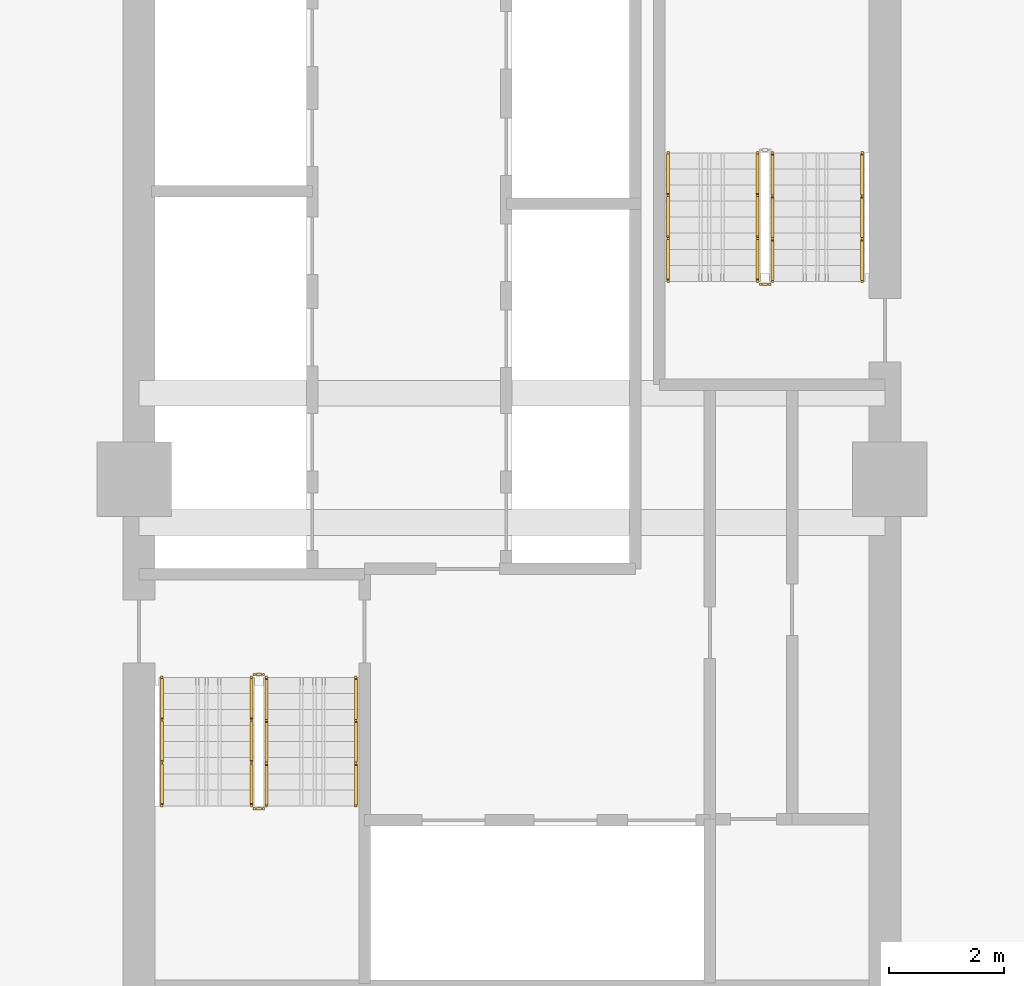
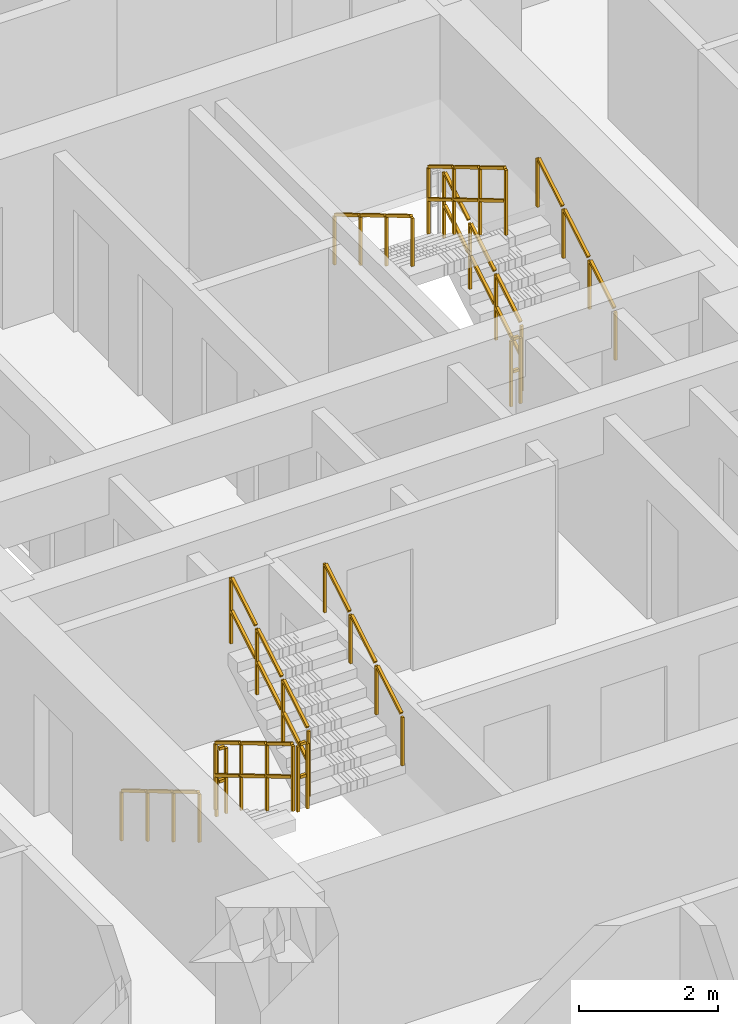
# One storey, part 24 of 26: 11 railings.
"""IFC4 building model written with IfcOpenShell, lengths in metres."""

from ifc_helpers import new_model, si_unit, direction, frame, origin, origin_2d, place, context, subcontext, project, spatial, rectangle, extrude, material, type_object, element, save


model = new_model("IFC4")

# Units and contexts
model_context = context("Model", 3, precision=1e-05, world=origin(), true_north=direction((0.0, 1.0)))
body_context = subcontext(model_context, "Body", "Model", "MODEL_VIEW")
ifc_project = project(units=[si_unit("LENGTHUNIT", "METRE"), si_unit("AREAUNIT", "SQUARE_METRE"), si_unit("VOLUMEUNIT", "CUBIC_METRE"), si_unit("PLANEANGLEUNIT", "RADIAN"), si_unit("MASSUNIT", "GRAM", prefix="KILO")], contexts=[model_context])

# Site, building, storey
site_placement = place(None, origin())
site = spatial("IfcSite", under=ifc_project, at=site_placement, CompositionType="ELEMENT")
building_placement = place(site_placement, origin())
building = spatial("IfcBuilding", under=site, at=building_placement, Name="Saelheon Loggia Tower", CompositionType="ELEMENT")
storey_placement = place(building_placement, frame((0.0, 0.0, 89.85009765625)))
storey = spatial("IfcBuildingStorey", under=building, at=storey_placement, Name="L28", CompositionType="ELEMENT", Elevation=89.85009765625)

# Railings
ifc_material_1 = material(Name="Galvanised Steel S275 Stairwell Guardrail", Category="steel")
railing_type_1 = type_object("IfcRailingType", Name="Guard_StairWell_RL_STG", PredefinedType="GUARDRAIL", material=ifc_material_1)
railing_1_placement = place(storey_placement, frame((33.4599609375, 23.550048828125, 0.16650390625)))
element("IfcRailing", 1, at=railing_1_placement, inside=storey, type_object=railing_type_1, Name="L28 ST1 stair guard 1", PredefinedType="GUARDRAIL", context=body_context, shape_type="SweptSolid", body=[
    extrude(rectangle(XDim=0.048095703125, YDim=0.048095703125, at=origin_2d()), frame((0.0, -0.028564453125, 1.19287109375), z_axis=(0.0, -0.859264461869, 0.511531606619), x_axis=(1.0, 0.0, 0.0)), (0.0, 0.0, 1.0), 0.802490234375),
    extrude(rectangle(XDim=0.048095703125, YDim=0.048095703125, at=origin_2d()), frame((0.0, -0.028564453125, 0.616943359375), z_axis=(0.0, -0.859264461869, 0.511531606619), x_axis=(1.0, 0.0, 0.0)), (0.0, 0.0, 1.0), 0.802490234375),
    extrude(rectangle(XDim=0.048095703125, YDim=0.048095703125, at=origin_2d()), frame((0.0, -0.775146484375, 1.637451171875), z_axis=(0.0, -0.859264461869, 0.511531606619), x_axis=(1.0, 0.0, 0.0)), (0.0, 0.0, 1.0), 0.802490234375),
    extrude(rectangle(XDim=0.048095703125, YDim=0.048095703125, at=origin_2d()), frame((0.0, -0.775146484375, 1.0615234375), z_axis=(0.0, -0.859264461869, 0.511531606619), x_axis=(1.0, 0.0, 0.0)), (0.0, 0.0, 1.0), 0.802490234375),
    extrude(rectangle(XDim=0.048095703125, YDim=0.048095703125, at=origin_2d()), frame((0.0, -1.52197265625, 2.081787109375), z_axis=(0.0, -0.859264461869, 0.511531606619), x_axis=(1.0, 0.0, 0.0)), (0.0, 0.0, 1.0), 0.802490234375),
    extrude(rectangle(XDim=0.048095703125, YDim=0.048095703125, at=origin_2d()), frame((0.0, -1.52197265625, 1.505859375), z_axis=(0.0, -0.859264461869, 0.511531606619), x_axis=(1.0, 0.0, 0.0)), (0.0, 0.0, 1.0), 0.802490234375),
    extrude(rectangle(XDim=0.0419921875, YDim=0.0419921875, at=origin_2d()), origin(), (0.0, 0.0, 1.0), 1.14794921875),
    extrude(rectangle(XDim=0.0419921875, YDim=0.0419921875, at=origin_2d()), frame((0.0, -0.74658203125, 0.444580078125)), (0.0, 0.0, 1.0), 1.14794921875),
    extrude(rectangle(XDim=0.0419921875, YDim=0.0419921875, at=origin_2d()), frame((0.0, -1.493408203125, 0.888916015625)), (0.0, 0.0, 1.0), 1.14794921875),
    extrude(rectangle(XDim=0.0419921875, YDim=0.0419921875, at=origin_2d()), frame((0.0, -2.239990234375, 1.33349609375)), (0.0, 0.0, 1.0), 1.14794921875),
])
railing_2_placement = place(storey_placement, frame((33.510009765625, 21.260009765625, 1.5)))
element("IfcRailing", 2, at=railing_2_placement, inside=storey, type_object=railing_type_1, Name="L28 ST1 stair guard 2", PredefinedType="GUARDRAIL", context=body_context, shape_type="SweptSolid", body=[
    extrude(rectangle(XDim=0.048095703125, YDim=0.048095703125, at=origin_2d()), frame((0.033203125, 0.0, 1.17578125), z_axis=(1.0, 0.0, 0.0), x_axis=(0.0, 1.0, 0.0)), (0.0, 0.0, 1.0), 0.093505859375),
    extrude(rectangle(XDim=0.048095703125, YDim=0.048095703125, at=origin_2d()), frame((0.033203125, 0.0, 0.60009765625), z_axis=(1.0, 0.0, 0.0), x_axis=(0.0, 1.0, 0.0)), (0.0, 0.0, 1.0), 0.093505859375),
    extrude(rectangle(XDim=0.0419921875, YDim=0.0419921875, at=origin_2d()), origin(), (0.0, 0.0, 1.0), 1.14794921875),
    extrude(rectangle(XDim=0.0419921875, YDim=0.0419921875, at=origin_2d()), frame((0.159912109375, 0.0, 0.0)), (0.0, 0.0, 1.0), 1.14794921875),
])
railing_3_placement = place(storey_placement, frame((33.719970703125, 21.31005859375, 1.66650390625)))
element("IfcRailing", 3, at=railing_3_placement, inside=storey, type_object=railing_type_1, Name="L28 ST1 stair guard 3", PredefinedType="GUARDRAIL", context=body_context, shape_type="SweptSolid", body=[
    extrude(rectangle(XDim=0.048095703125, YDim=0.048095703125, at=origin_2d()), frame((0.0, 0.028564453125, 1.19287109375), z_axis=(0.0, 0.859264461869, 0.511531606619), x_axis=(-1.0, 0.0, 0.0)), (0.0, 0.0, 1.0), 0.802490234375),
    extrude(rectangle(XDim=0.048095703125, YDim=0.048095703125, at=origin_2d()), frame((0.0, 0.028564453125, 0.616943359375), z_axis=(0.0, 0.859264461869, 0.511531606619), x_axis=(-1.0, 0.0, 0.0)), (0.0, 0.0, 1.0), 0.802490234375),
    extrude(rectangle(XDim=0.048095703125, YDim=0.048095703125, at=origin_2d()), frame((0.0, 0.775146484375, 1.637451171875), z_axis=(0.0, 0.859264461869, 0.511531606619), x_axis=(-1.0, 0.0, 0.0)), (0.0, 0.0, 1.0), 0.802490234375),
    extrude(rectangle(XDim=0.048095703125, YDim=0.048095703125, at=origin_2d()), frame((0.0, 0.775146484375, 1.0615234375), z_axis=(0.0, 0.859264461869, 0.511531606619), x_axis=(-1.0, 0.0, 0.0)), (0.0, 0.0, 1.0), 0.802490234375),
    extrude(rectangle(XDim=0.048095703125, YDim=0.048095703125, at=origin_2d()), frame((0.0, 1.52197265625, 2.081787109375), z_axis=(0.0, 0.859264461869, 0.511531606619), x_axis=(-1.0, 0.0, 0.0)), (0.0, 0.0, 1.0), 0.802490234375),
    extrude(rectangle(XDim=0.048095703125, YDim=0.048095703125, at=origin_2d()), frame((0.0, 1.52197265625, 1.505859375), z_axis=(0.0, 0.859264461869, 0.511531606619), x_axis=(-1.0, 0.0, 0.0)), (0.0, 0.0, 1.0), 0.802490234375),
    extrude(rectangle(XDim=0.0419921875, YDim=0.0419921875, at=origin_2d()), origin(), (0.0, 0.0, 1.0), 1.14794921875),
    extrude(rectangle(XDim=0.0419921875, YDim=0.0419921875, at=origin_2d()), frame((0.0, 0.74658203125, 0.444580078125)), (0.0, 0.0, 1.0), 1.14794921875),
    extrude(rectangle(XDim=0.0419921875, YDim=0.0419921875, at=origin_2d()), frame((0.0, 1.493408203125, 0.888916015625)), (0.0, 0.0, 1.0), 1.14794921875),
    extrude(rectangle(XDim=0.0419921875, YDim=0.0419921875, at=origin_2d()), frame((0.0, 2.239990234375, 1.33349609375)), (0.0, 0.0, 1.0), 1.14794921875),
])
railing_4_placement = place(storey_placement, frame((33.510009765625, 23.60009765625, 0.0)))
element("IfcRailing", 4, at=railing_4_placement, inside=storey, type_object=railing_type_1, Name="L28 ST1 stair guard 4", PredefinedType="GUARDRAIL", context=body_context, shape_type="SweptSolid", body=[
    extrude(rectangle(XDim=0.048095703125, YDim=0.048095703125, at=origin_2d()), frame((0.033203125, 0.0, 1.17578125), z_axis=(1.0, 0.0, 0.0), x_axis=(0.0, 1.0, 0.0)), (0.0, 0.0, 1.0), 0.093505859375),
    extrude(rectangle(XDim=0.048095703125, YDim=0.048095703125, at=origin_2d()), frame((0.033203125, 0.0, 0.60009765625), z_axis=(1.0, 0.0, 0.0), x_axis=(0.0, 1.0, 0.0)), (0.0, 0.0, 1.0), 0.093505859375),
    extrude(rectangle(XDim=0.0419921875, YDim=0.0419921875, at=origin_2d()), origin(), (0.0, 0.0, 1.0), 1.14794921875),
    extrude(rectangle(XDim=0.0419921875, YDim=0.0419921875, at=origin_2d()), frame((0.159912109375, 0.0, 0.0)), (0.0, 0.0, 1.0), 1.14794921875),
])
railing_5_placement = place(storey_placement, frame((42.5400390625, 30.449951171875, 0.16650390625)))
element("IfcRailing", 5, at=railing_5_placement, inside=storey, type_object=railing_type_1, Name="L28 ST2 stair guard 1", PredefinedType="GUARDRAIL", context=body_context, shape_type="SweptSolid", body=[
    extrude(rectangle(XDim=0.048095703125, YDim=0.048095703125, at=origin_2d()), frame((0.0, 0.028564453125, 1.19287109375), z_axis=(0.0, 0.859264461869, 0.511531606619), x_axis=(-1.0, 0.0, 0.0)), (0.0, 0.0, 1.0), 0.802490234375),
    extrude(rectangle(XDim=0.048095703125, YDim=0.048095703125, at=origin_2d()), frame((0.0, 0.028564453125, 0.616943359375), z_axis=(0.0, 0.859264461869, 0.511531606619), x_axis=(-1.0, 0.0, 0.0)), (0.0, 0.0, 1.0), 0.802490234375),
    extrude(rectangle(XDim=0.048095703125, YDim=0.048095703125, at=origin_2d()), frame((0.0, 0.775146484375, 1.637451171875), z_axis=(0.0, 0.859264461869, 0.511531606619), x_axis=(-1.0, 0.0, 0.0)), (0.0, 0.0, 1.0), 0.802490234375),
    extrude(rectangle(XDim=0.048095703125, YDim=0.048095703125, at=origin_2d()), frame((0.0, 0.775146484375, 1.0615234375), z_axis=(0.0, 0.859264461869, 0.511531606619), x_axis=(-1.0, 0.0, 0.0)), (0.0, 0.0, 1.0), 0.802490234375),
    extrude(rectangle(XDim=0.048095703125, YDim=0.048095703125, at=origin_2d()), frame((0.0, 1.52197265625, 2.081787109375), z_axis=(0.0, 0.859264461869, 0.511531606619), x_axis=(-1.0, 0.0, 0.0)), (0.0, 0.0, 1.0), 0.802490234375),
    extrude(rectangle(XDim=0.048095703125, YDim=0.048095703125, at=origin_2d()), frame((0.0, 1.52197265625, 1.505859375), z_axis=(0.0, 0.859264461869, 0.511531606619), x_axis=(-1.0, 0.0, 0.0)), (0.0, 0.0, 1.0), 0.802490234375),
    extrude(rectangle(XDim=0.0419921875, YDim=0.0419921875, at=origin_2d()), origin(), (0.0, 0.0, 1.0), 1.14794921875),
    extrude(rectangle(XDim=0.0419921875, YDim=0.0419921875, at=origin_2d()), frame((0.0, 0.74658203125, 0.444580078125)), (0.0, 0.0, 1.0), 1.14794921875),
    extrude(rectangle(XDim=0.0419921875, YDim=0.0419921875, at=origin_2d()), frame((0.0, 1.493408203125, 0.888916015625)), (0.0, 0.0, 1.0), 1.14794921875),
    extrude(rectangle(XDim=0.0419921875, YDim=0.0419921875, at=origin_2d()), frame((0.0, 2.239990234375, 1.33349609375)), (0.0, 0.0, 1.0), 1.14794921875),
])
railing_6_placement = place(storey_placement, frame((42.280029296875, 32.68994140625, 1.66650390625)))
element("IfcRailing", 6, at=railing_6_placement, inside=storey, type_object=railing_type_1, Name="L28 ST2 stair guard 3", PredefinedType="GUARDRAIL", context=body_context, shape_type="SweptSolid", body=[
    extrude(rectangle(XDim=0.048095703125, YDim=0.048095703125, at=origin_2d()), frame((0.0, -0.028564453125, 1.19287109375), z_axis=(0.0, -0.859264461869, 0.511531606619), x_axis=(1.0, 0.0, 0.0)), (0.0, 0.0, 1.0), 0.802490234375),
    extrude(rectangle(XDim=0.048095703125, YDim=0.048095703125, at=origin_2d()), frame((0.0, -0.028564453125, 0.616943359375), z_axis=(0.0, -0.859264461869, 0.511531606619), x_axis=(1.0, 0.0, 0.0)), (0.0, 0.0, 1.0), 0.802490234375),
    extrude(rectangle(XDim=0.048095703125, YDim=0.048095703125, at=origin_2d()), frame((0.0, -0.775146484375, 1.637451171875), z_axis=(0.0, -0.859264461869, 0.511531606619), x_axis=(1.0, 0.0, 0.0)), (0.0, 0.0, 1.0), 0.802490234375),
    extrude(rectangle(XDim=0.048095703125, YDim=0.048095703125, at=origin_2d()), frame((0.0, -0.775146484375, 1.0615234375), z_axis=(0.0, -0.859264461869, 0.511531606619), x_axis=(1.0, 0.0, 0.0)), (0.0, 0.0, 1.0), 0.802490234375),
    extrude(rectangle(XDim=0.048095703125, YDim=0.048095703125, at=origin_2d()), frame((0.0, -1.52197265625, 2.081787109375), z_axis=(0.0, -0.859264461869, 0.511531606619), x_axis=(1.0, 0.0, 0.0)), (0.0, 0.0, 1.0), 0.802490234375),
    extrude(rectangle(XDim=0.048095703125, YDim=0.048095703125, at=origin_2d()), frame((0.0, -1.52197265625, 1.505859375), z_axis=(0.0, -0.859264461869, 0.511531606619), x_axis=(1.0, 0.0, 0.0)), (0.0, 0.0, 1.0), 0.802490234375),
    extrude(rectangle(XDim=0.0419921875, YDim=0.0419921875, at=origin_2d()), origin(), (0.0, 0.0, 1.0), 1.14794921875),
    extrude(rectangle(XDim=0.0419921875, YDim=0.0419921875, at=origin_2d()), frame((0.0, -0.74658203125, 0.444580078125)), (0.0, 0.0, 1.0), 1.14794921875),
    extrude(rectangle(XDim=0.0419921875, YDim=0.0419921875, at=origin_2d()), frame((0.0, -1.493408203125, 0.888916015625)), (0.0, 0.0, 1.0), 1.14794921875),
    extrude(rectangle(XDim=0.0419921875, YDim=0.0419921875, at=origin_2d()), frame((0.0, -2.239990234375, 1.33349609375)), (0.0, 0.0, 1.0), 1.14794921875),
])
railing_7_placement = place(storey_placement, frame((42.489990234375, 30.39990234375, 0.0)))
element("IfcRailing", 7, at=railing_7_placement, inside=storey, type_object=railing_type_1, Name="L28 ST2 stair guard 4", PredefinedType="GUARDRAIL", context=body_context, shape_type="SweptSolid", body=[
    extrude(rectangle(XDim=0.048095703125, YDim=0.048095703125, at=origin_2d()), frame((-0.033203125, 0.0, 1.17578125), z_axis=(-1.0, 0.0, 0.0), x_axis=(0.0, -1.0, 0.0)), (0.0, 0.0, 1.0), 0.093505859375),
    extrude(rectangle(XDim=0.048095703125, YDim=0.048095703125, at=origin_2d()), frame((-0.033203125, 0.0, 0.60009765625), z_axis=(-1.0, 0.0, 0.0), x_axis=(0.0, -1.0, 0.0)), (0.0, 0.0, 1.0), 0.093505859375),
    extrude(rectangle(XDim=0.0419921875, YDim=0.0419921875, at=origin_2d()), origin(), (0.0, 0.0, 1.0), 1.14794921875),
    extrude(rectangle(XDim=0.0419921875, YDim=0.0419921875, at=origin_2d()), frame((-0.159912109375, 0.0, 0.0)), (0.0, 0.0, 1.0), 1.14794921875),
])
ifc_material_2 = material(Name="Stainless Steel 304 Tubular Handrail", Category="steel")
railing_type_2 = type_object("IfcRailingType", Name="Handrail_Stair_RL_HR1", PredefinedType="HANDRAIL", material=ifc_material_2)
railing_8_placement = place(storey_placement, frame((31.89990234375, 23.550048828125, 0.16650390625)))
element("IfcRailing", 8, at=railing_8_placement, inside=storey, type_object=railing_type_2, Name="L28 ST1 stair handrail 1", PredefinedType="HANDRAIL", context=body_context, shape_type="SweptSolid", body=[
    extrude(rectangle(XDim=0.048095703125, YDim=0.048095703125, at=origin_2d()), frame((0.0, -0.028564453125, 0.892822265625), z_axis=(0.0, -0.859264461869, 0.511531606619), x_axis=(1.0, 0.0, 0.0)), (0.0, 0.0, 1.0), 0.802490234375),
    extrude(rectangle(XDim=0.048095703125, YDim=0.048095703125, at=origin_2d()), frame((0.0, -0.775146484375, 1.33740234375), z_axis=(0.0, -0.859264461869, 0.511531606619), x_axis=(1.0, 0.0, 0.0)), (0.0, 0.0, 1.0), 0.802490234375),
    extrude(rectangle(XDim=0.048095703125, YDim=0.048095703125, at=origin_2d()), frame((0.0, -1.52197265625, 1.78173828125), z_axis=(0.0, -0.859264461869, 0.511531606619), x_axis=(1.0, 0.0, 0.0)), (0.0, 0.0, 1.0), 0.802490234375),
    extrude(rectangle(XDim=0.0419921875, YDim=0.0419921875, at=origin_2d()), origin(), (0.0, 0.0, 1.0), 0.847900390625),
    extrude(rectangle(XDim=0.0419921875, YDim=0.0419921875, at=origin_2d()), frame((0.0, -0.74658203125, 0.444580078125)), (0.0, 0.0, 1.0), 0.847900390625),
    extrude(rectangle(XDim=0.0419921875, YDim=0.0419921875, at=origin_2d()), frame((0.0, -1.493408203125, 0.888916015625)), (0.0, 0.0, 1.0), 0.847900390625),
    extrude(rectangle(XDim=0.0419921875, YDim=0.0419921875, at=origin_2d()), frame((0.0, -2.239990234375, 1.33349609375)), (0.0, 0.0, 1.0), 0.847900390625),
])
for number, where, name in (
    (9, (35.280029296875, 21.31005859375, 1.66650390625), "L28 ST1 stair handrail 2"),
    (10, (44.10009765625, 30.449951171875, 0.16650390625), "L28 ST2 stair handrail 1"),
):
    element("IfcRailing", number, at=place(storey_placement, frame(where)), inside=storey, type_object=railing_type_2, Name=name, PredefinedType="HANDRAIL", context=body_context, shape_type="SweptSolid", body=[
        extrude(rectangle(XDim=0.048095703125, YDim=0.048095703125, at=origin_2d()), frame((0.0, 0.028564453125, 0.892822265625), z_axis=(0.0, 0.859264461869, 0.511531606619), x_axis=(-1.0, 0.0, 0.0)), (0.0, 0.0, 1.0), 0.802490234375),
        extrude(rectangle(XDim=0.048095703125, YDim=0.048095703125, at=origin_2d()), frame((0.0, 0.775146484375, 1.33740234375), z_axis=(0.0, 0.859264461869, 0.511531606619), x_axis=(-1.0, 0.0, 0.0)), (0.0, 0.0, 1.0), 0.802490234375),
        extrude(rectangle(XDim=0.048095703125, YDim=0.048095703125, at=origin_2d()), frame((0.0, 1.52197265625, 1.78173828125), z_axis=(0.0, 0.859264461869, 0.511531606619), x_axis=(-1.0, 0.0, 0.0)), (0.0, 0.0, 1.0), 0.802490234375),
        extrude(rectangle(XDim=0.0419921875, YDim=0.0419921875, at=origin_2d()), origin(), (0.0, 0.0, 1.0), 0.847900390625),
        extrude(rectangle(XDim=0.0419921875, YDim=0.0419921875, at=origin_2d()), frame((0.0, 0.74658203125, 0.444580078125)), (0.0, 0.0, 1.0), 0.847900390625),
        extrude(rectangle(XDim=0.0419921875, YDim=0.0419921875, at=origin_2d()), frame((0.0, 1.493408203125, 0.888916015625)), (0.0, 0.0, 1.0), 0.847900390625),
        extrude(rectangle(XDim=0.0419921875, YDim=0.0419921875, at=origin_2d()), frame((0.0, 2.239990234375, 1.33349609375)), (0.0, 0.0, 1.0), 0.847900390625),
    ])
railing_9_placement = place(storey_placement, frame((40.719970703125, 32.68994140625, 1.66650390625)))
element("IfcRailing", 11, at=railing_9_placement, inside=storey, type_object=railing_type_2, Name="L28 ST2 stair handrail 2", PredefinedType="HANDRAIL", context=body_context, shape_type="SweptSolid", body=[
    extrude(rectangle(XDim=0.048095703125, YDim=0.048095703125, at=origin_2d()), frame((0.0, -0.028564453125, 0.892822265625), z_axis=(0.0, -0.859264461869, 0.511531606619), x_axis=(1.0, 0.0, 0.0)), (0.0, 0.0, 1.0), 0.802490234375),
    extrude(rectangle(XDim=0.048095703125, YDim=0.048095703125, at=origin_2d()), frame((0.0, -0.775146484375, 1.33740234375), z_axis=(0.0, -0.859264461869, 0.511531606619), x_axis=(1.0, 0.0, 0.0)), (0.0, 0.0, 1.0), 0.802490234375),
    extrude(rectangle(XDim=0.048095703125, YDim=0.048095703125, at=origin_2d()), frame((0.0, -1.52197265625, 1.78173828125), z_axis=(0.0, -0.859264461869, 0.511531606619), x_axis=(1.0, 0.0, 0.0)), (0.0, 0.0, 1.0), 0.802490234375),
    extrude(rectangle(XDim=0.0419921875, YDim=0.0419921875, at=origin_2d()), origin(), (0.0, 0.0, 1.0), 0.847900390625),
    extrude(rectangle(XDim=0.0419921875, YDim=0.0419921875, at=origin_2d()), frame((0.0, -0.74658203125, 0.444580078125)), (0.0, 0.0, 1.0), 0.847900390625),
    extrude(rectangle(XDim=0.0419921875, YDim=0.0419921875, at=origin_2d()), frame((0.0, -1.493408203125, 0.888916015625)), (0.0, 0.0, 1.0), 0.847900390625),
    extrude(rectangle(XDim=0.0419921875, YDim=0.0419921875, at=origin_2d()), frame((0.0, -2.239990234375, 1.33349609375)), (0.0, 0.0, 1.0), 0.847900390625),
])

save(model, "model.ifc")
